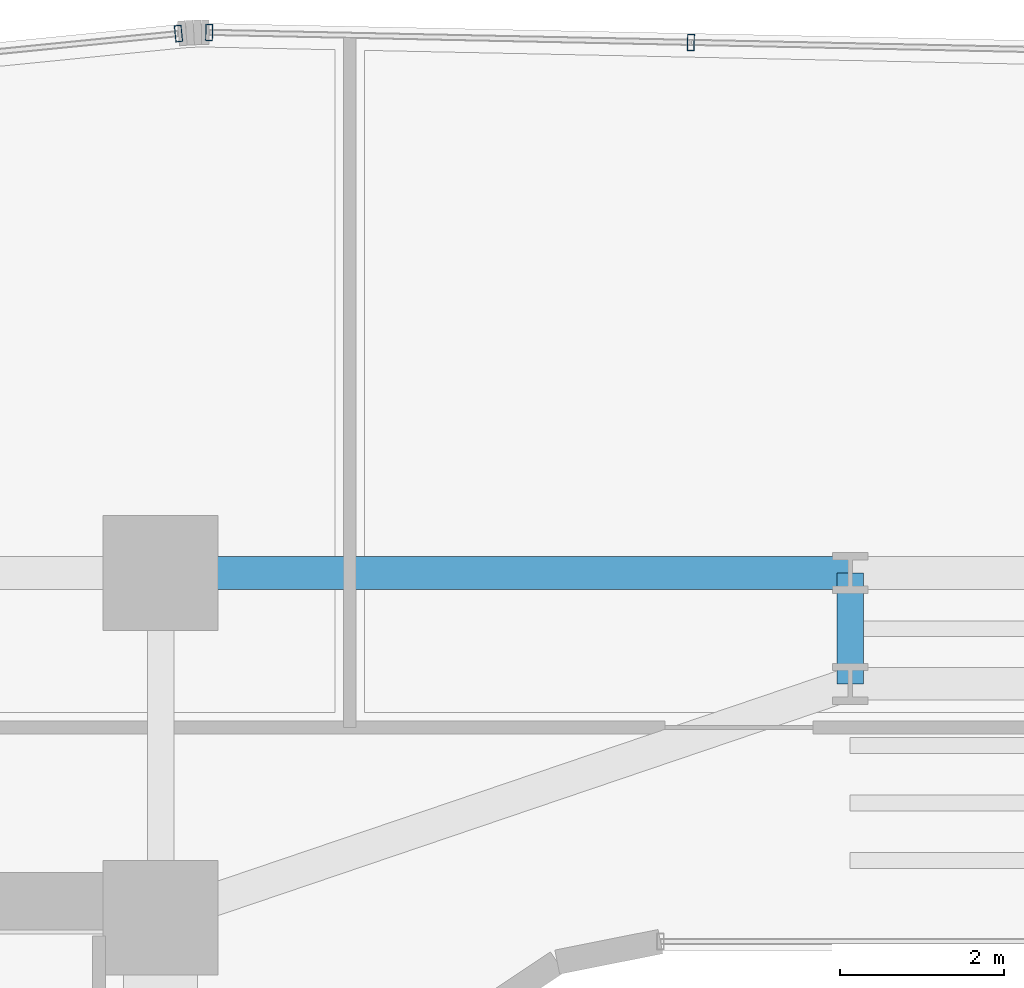
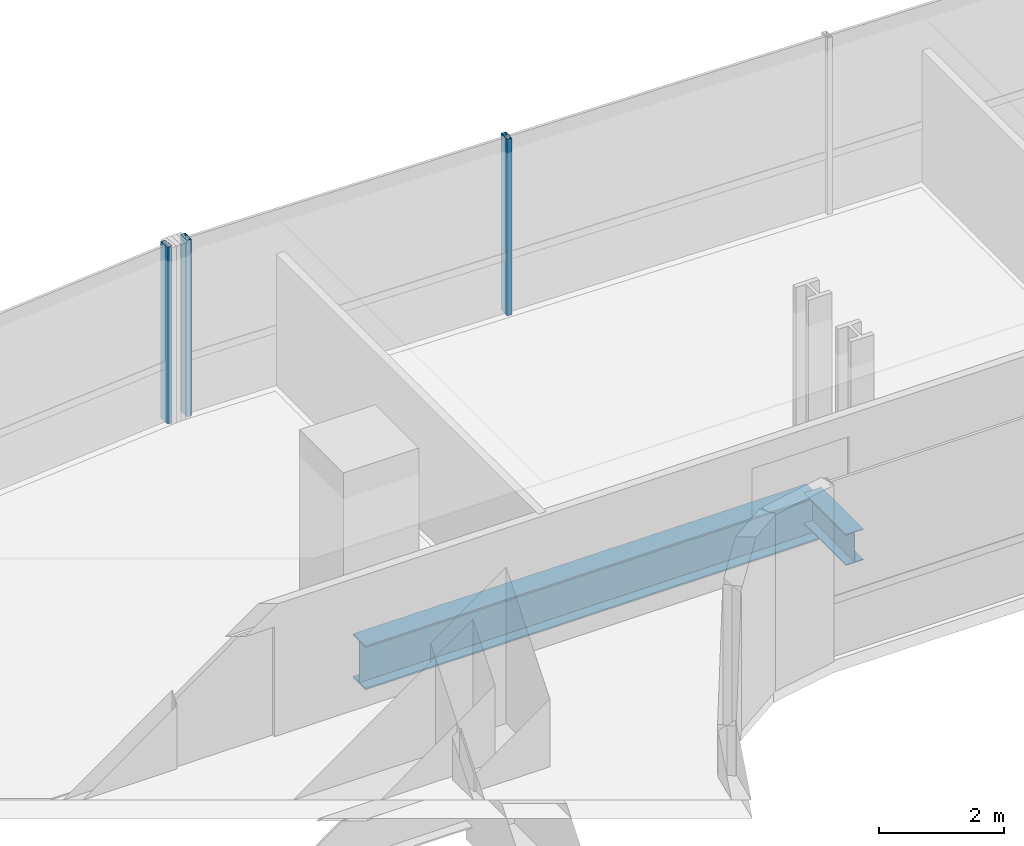
# One storey, part 21 of 40: 3 members, 2 beams, 2 elements without a shape of their own.
"""IFC4 building model written with IfcOpenShell, lengths in metres."""

from ifc_helpers import new_model, si_unit, direction, frame, origin, origin_2d, place, context, subcontext, project, spatial, hollow_rectangle, i_section, extrude, source, transform, mapped, material, material_profile, profile_set, type_object, element, aggregate, save


model = new_model("IFC4")

# Units and contexts
model_context = context("Model", 3, precision=1e-05, world=origin(), true_north=direction((0.0, 1.0)))
body_context = subcontext(model_context, "Body", "Model", "MODEL_VIEW")
ifc_project = project(units=[si_unit("LENGTHUNIT", "METRE"), si_unit("AREAUNIT", "SQUARE_METRE"), si_unit("VOLUMEUNIT", "CUBIC_METRE"), si_unit("PLANEANGLEUNIT", "RADIAN"), si_unit("MASSUNIT", "GRAM", prefix="KILO")], contexts=[model_context])

# Site, building, storey
site_placement = place(None, origin())
site = spatial("IfcSite", under=ifc_project, at=site_placement, CompositionType="ELEMENT")
building_placement = place(site_placement, origin())
building = spatial("IfcBuilding", under=site, at=building_placement, Name="Valdorenza Pilgrim Sanctuary Tower", CompositionType="ELEMENT")
storey_placement = place(building_placement, frame((0.0, 0.0, 51.89990234375)))
storey = spatial("IfcBuildingStorey", under=building, at=storey_placement, Name="L12", CompositionType="ELEMENT", Elevation=51.89990234375)

# Beams
ifc_material_1 = material(Name="Steel ASTM A992 Grade 50", Category="steel")
ifc_material_profile_1 = material_profile(ifc_material_1, i_section(OverallWidth=0.39990234375, OverallDepth=0.862060546875, WebThickness=0.019775390625, FlangeThickness=0.032470703125, at=origin_2d()), Name="W33X221")
ifc_profile_set_1 = profile_set([ifc_material_profile_1], Name="Steel ASTM A992 Grade 50")
beam_type_1 = type_object("IfcBeamType", Name="STR-BM-GRD-W33", PredefinedType="BEAM", material=ifc_profile_set_1)
shared_shape_1 = source(origin(), body_context, "Body", "SweptSolid", [
    extrude(i_section(OverallWidth=0.39990234375, OverallDepth=0.862060546875, WebThickness=0.019775390625, FlangeThickness=0.032470703125, at=origin_2d()), origin(), (0.0, 0.0, 1.0), 8.39990234375),
])
beam_1_placement = place(storey_placement, frame((-12.39990234375, 14.800048828125, -0.6708984375), z_axis=(1.0, 0.0, 0.0), x_axis=(0.0, 1.0, 0.0)))
element("IfcBeam", 1, at=beam_1_placement, inside=storey, type_object=beam_type_1, Name="L12 Floor Girder KNK-G4", PredefinedType="BEAM", context=body_context, shape_type="MappedRepresentation", body=[
    mapped(shared_shape_1, transform((0.0, 0.0, 0.0), x_axis=(1.0, 0.0, 0.0), y_axis=(0.0, 1.0, 0.0), z_axis=(0.0, 0.0, 1.0), scale=1.0)),
])
ifc_material_profile_2 = material_profile(ifc_material_1, i_section(OverallWidth=0.323974609375, OverallDepth=0.611083984375, WebThickness=0.0126953125, FlangeThickness=0.01904296875, at=origin_2d()), Name="W24X104")
ifc_profile_set_2 = profile_set([ifc_material_profile_2], Name="Steel ASTM A992 Grade 50")
beam_type_2 = type_object("IfcBeamType", Name="STR-BM-GRD-W24B", PredefinedType="BEAM", material=ifc_profile_set_2)
shared_shape_2 = source(origin(), body_context, "Body", "SweptSolid", [
    extrude(i_section(OverallWidth=0.323974609375, OverallDepth=0.611083984375, WebThickness=0.0126953125, FlangeThickness=0.01904296875, at=origin_2d()), origin(), (0.0, 0.0, 1.0), 1.35009765625),
])
beam_2_placement = place(storey_placement, frame((-4.0, 13.449951171875, -0.54541015625), z_axis=(0.0, 1.0, 0.0), x_axis=(-1.0, 0.0, 0.0)))
element("IfcBeam", 2, at=beam_2_placement, inside=storey, type_object=beam_type_2, Name="L12 Floor Girder KNK-TIE-W", PredefinedType="BEAM", context=body_context, shape_type="MappedRepresentation", body=[
    mapped(shared_shape_2, transform((0.0, 0.0, 0.0), x_axis=(1.0, 0.0, 0.0), y_axis=(0.0, 1.0, 0.0), z_axis=(0.0, 0.0, 1.0), scale=1.0)),
])

# Curtain wall, member
ifc_material_2 = material(Name="Curtain-wall IGU glazing", Category="glass")
curtain_wall_type = type_object("IfcCurtainWallType", Name="CW-SYS-02", PredefinedType="NOTDEFINED", material=ifc_material_2)
curtain_wall_1_placement = place(storey_placement, origin())
curtain_wall_1 = element("IfcCurtainWall", 3, at=curtain_wall_1_placement, inside=storey, type_object=curtain_wall_type, Name="L12 Curtain Wall CW-L12-1-6", PredefinedType="NOTDEFINED")
ifc_material_3 = material(Name="Anodised aluminium AW-6060", Category="aluminium")
ifc_material_profile_3 = material_profile(ifc_material_3, hollow_rectangle(XDim=0.0849609375, YDim=0.199951171875, WallThickness=0.0048828125, at=origin_2d()), Name="ALU-M 200x85x5")
ifc_profile_set_3 = profile_set([ifc_material_profile_3], Name="Anodised aluminium AW-6060")
member_type = type_object("IfcMemberType", Name="CW-MUL-02", PredefinedType="MULLION", material=ifc_profile_set_3)
shared_shape_3 = source(origin(), body_context, "Body", "SweptSolid", [
    extrude(hollow_rectangle(XDim=0.0849609375, YDim=0.199951171875, WallThickness=0.0048828125, at=origin_2d()), origin(), (0.0, 0.0, 1.0), 3.460205078125),
])
member_1_placement = place(storey_placement, frame((-12.181884765625, 21.371337890625, 0.0), z_axis=(0.0, 0.0, 1.0), x_axis=(0.995038220239, 0.099493418189, 0.0)))
member_1 = element("IfcMember", 4, at=member_1_placement, type_object=member_type, Name="CW-L12-1-6 Mullion 4", PredefinedType="MULLION", context=body_context, shape_type="MappedRepresentation", body=[
    mapped(shared_shape_3, transform((0.0, 0.0, 0.0), x_axis=(1.0, 0.0, 0.0), y_axis=(0.0, 1.0, 0.0), z_axis=(0.0, 0.0, 1.0), scale=1.0)),
])
aggregate(curtain_wall_1, [member_1])

# Curtain wall, members
curtain_wall_2_placement = place(storey_placement, origin())
curtain_wall_2 = element("IfcCurtainWall", 5, at=curtain_wall_2_placement, inside=storey, type_object=curtain_wall_type, Name="L12 Curtain Wall CW-L12-1-11", PredefinedType="NOTDEFINED")
member_2_placement = place(storey_placement, frame((-11.808349609375, 21.385986328125, 0.0), z_axis=(0.0, 0.0, 1.0), x_axis=(0.999783234613, -0.020820273474, 0.0)))
member_2 = element("IfcMember", 6, at=member_2_placement, type_object=member_type, Name="CW-L12-1-11 Mullion 1", PredefinedType="MULLION", context=body_context, shape_type="MappedRepresentation", body=[
    mapped(shared_shape_3, transform((0.0, 0.0, 0.0), x_axis=(1.0, 0.0, 0.0), y_axis=(0.0, 1.0, 0.0), z_axis=(0.0, 0.0, 1.0), scale=1.0)),
])
member_3_placement = place(storey_placement, frame((-5.93994140625, 21.263671875, 0.0), z_axis=(0.0, 0.0, 1.0), x_axis=(0.999783234613, -0.020820273474, 0.0)))
member_3 = element("IfcMember", 7, at=member_3_placement, type_object=member_type, Name="CW-L12-1-11 Mullion 2", PredefinedType="MULLION", context=body_context, shape_type="MappedRepresentation", body=[
    mapped(shared_shape_3, transform((0.0, 0.0, 0.0), x_axis=(1.0, 0.0, 0.0), y_axis=(0.0, 1.0, 0.0), z_axis=(0.0, 0.0, 1.0), scale=1.0)),
])
aggregate(curtain_wall_2, [member_2, member_3])

save(model, "model.ifc")
